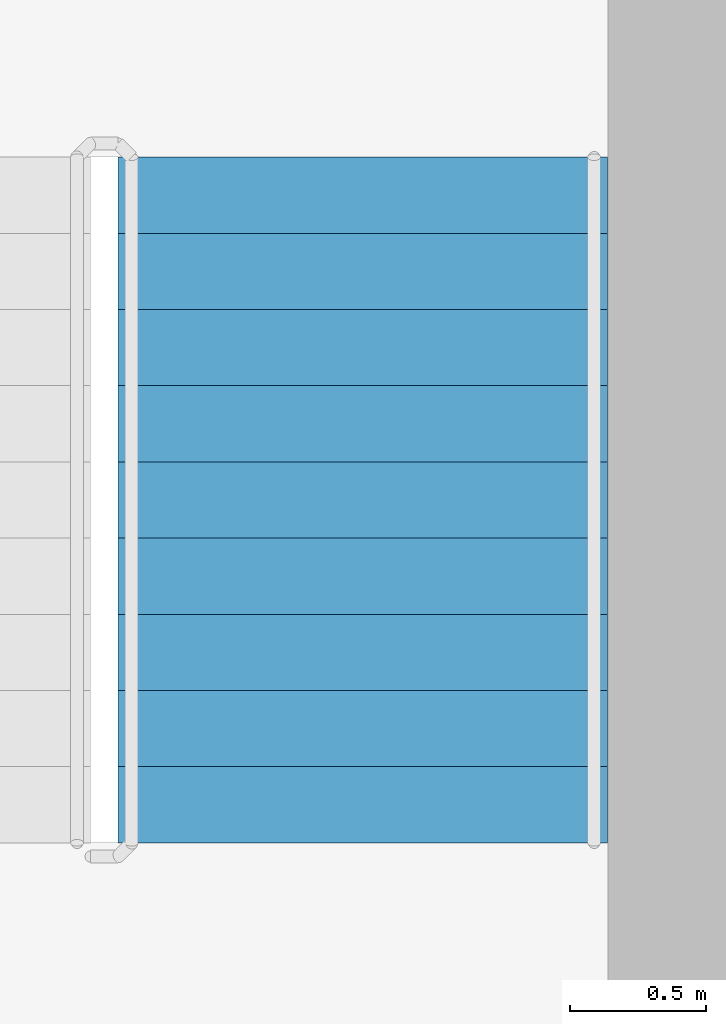
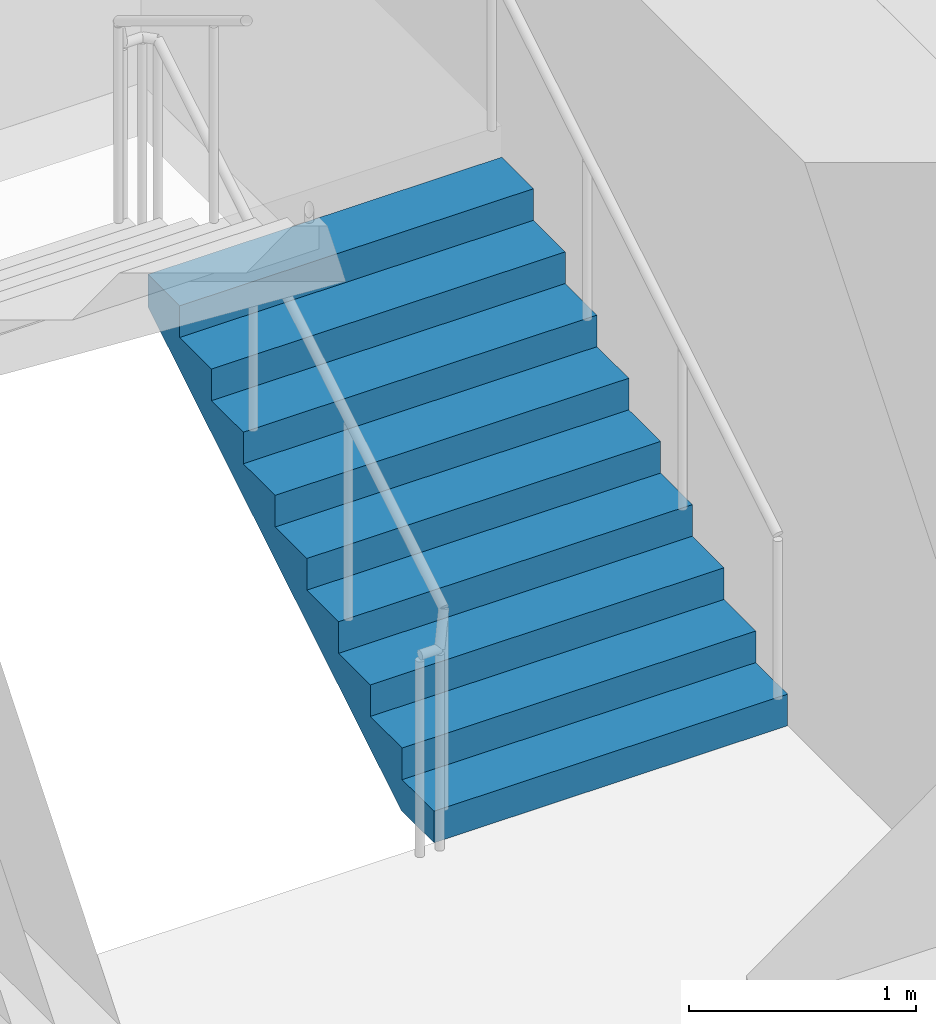
# One storey, part 12 of 21: 1 stair flight, 1 element without a shape of its own.
"""IFC4 building model written with IfcOpenShell, lengths in metres."""

from ifc_helpers import new_model, si_unit, direction, frame, origin, place, context, subcontext, project, spatial, triangles, source, transform, mapped, material, type_object, element, aggregate, save


model = new_model("IFC4")

# Units and contexts
model_context = context("Model", 3, precision=1e-05, world=origin(), true_north=direction((0.0, 1.0)))
body_context = subcontext(model_context, "Body", "Model", "MODEL_VIEW")
ifc_project = project(units=[si_unit("LENGTHUNIT", "METRE"), si_unit("AREAUNIT", "SQUARE_METRE"), si_unit("VOLUMEUNIT", "CUBIC_METRE"), si_unit("PLANEANGLEUNIT", "RADIAN"), si_unit("MASSUNIT", "GRAM", prefix="KILO")], contexts=[model_context])

# Site, building, storey
site_placement = place(None, origin())
site = spatial("IfcSite", under=ifc_project, at=site_placement, CompositionType="ELEMENT")
building_placement = place(site_placement, origin())
building = spatial("IfcBuilding", under=site, at=building_placement, Name="Kilnfold Tower and Market Hall", CompositionType="ELEMENT")
storey_placement = place(building_placement, frame((0.0, 0.0, 147.300048828125)))
storey = spatial("IfcBuildingStorey", under=building, at=storey_placement, Name="L33", CompositionType="ELEMENT", Elevation=147.300048828125)

# Stair, stair flight
ifc_material_1 = material(Name="Concrete C40/50", Category="concrete")
stair_type = type_object("IfcStairType", Name="CORE STAIR 1800", PredefinedType="HALF_TURN_STAIR", material=ifc_material_1)
stair_placement = place(storey_placement, origin())
stair = element("IfcStair", 1, at=stair_placement, inside=storey, type_object=stair_type, Name="L33 ST2", PredefinedType="HALF_TURN_STAIR")
ifc_material_2 = material(Name="Concrete C40/50", Category="concrete")
stair_flight_type = type_object("IfcStairFlightType", Name="CORE STAIR FLIGHT 1800", PredefinedType="STRAIGHT", material=ifc_material_2)
shared_shape = source(origin(), body_context, "Body", "Tessellation", [
    triangles([(0.0, 0.89990234375, 0.0), (0.0, 0.78759765625, 0.0), (0.0, 0.675048828125, 0.0), (0.0, 0.5625, 0.0), (0.0, 0.449951171875, 0.0), (0.0, 0.33740234375, 0.0), (0.0, 0.22509765625, 0.0), (0.0, 0.112548828125, 0.0), (0.0, 0.0, 0.0), (0.0, -0.112548828125, 0.0), (0.0, -0.22509765625, 0.0), (0.0, -0.33740234375, 0.0), (0.0, -0.449951171875, 0.0), (0.0, -0.5625, 0.0), (0.0, -0.675048828125, 0.0), (0.0, -0.78759765625, 0.0), (0.0, -0.89990234375, 0.0), (0.0, 0.89990234375, 0.169921875), (0.0, 0.78759765625, 0.169921875), (0.0, 0.675048828125, 0.169921875), (0.0, 0.5625, 0.169921875), (0.0, 0.449951171875, 0.169921875), (0.0, 0.33740234375, 0.169921875), (0.0, 0.22509765625, 0.169921875), (0.0, 0.112548828125, 0.169921875), (0.0, 0.0, 0.169921875), (0.0, -0.112548828125, 0.169921875), (0.0, -0.22509765625, 0.169921875), (0.0, -0.33740234375, 0.169921875), (0.0, -0.449951171875, 0.169921875), (0.0, -0.5625, 0.169921875), (0.0, -0.675048828125, 0.169921875), (0.0, -0.78759765625, 0.169921875), (0.0, -0.89990234375, 0.169921875), (0.280029296875, 0.89990234375, 0.169921875), (0.280029296875, 0.78759765625, 0.169921875), (0.280029296875, 0.675048828125, 0.169921875), (0.280029296875, 0.5625, 0.169921875), (0.280029296875, 0.449951171875, 0.169921875), (0.280029296875, 0.33740234375, 0.169921875), (0.280029296875, 0.22509765625, 0.169921875), (0.280029296875, 0.112548828125, 0.169921875), (0.280029296875, 0.0, 0.169921875), (0.280029296875, -0.112548828125, 0.169921875), (0.280029296875, -0.22509765625, 0.169921875), (0.280029296875, -0.33740234375, 0.169921875), (0.280029296875, -0.449951171875, 0.169921875), (0.280029296875, -0.5625, 0.169921875), (0.280029296875, -0.675048828125, 0.169921875), (0.280029296875, -0.78759765625, 0.169921875), (0.280029296875, -0.89990234375, 0.169921875), (0.280029296875, 0.89990234375, 0.340087890625), (0.280029296875, 0.78759765625, 0.340087890625), (0.280029296875, 0.675048828125, 0.340087890625), (0.280029296875, 0.5625, 0.340087890625), (0.280029296875, 0.449951171875, 0.340087890625), (0.280029296875, 0.33740234375, 0.340087890625), (0.280029296875, 0.22509765625, 0.340087890625), (0.280029296875, 0.112548828125, 0.340087890625), (0.280029296875, 0.0, 0.340087890625), (0.280029296875, -0.112548828125, 0.340087890625), (0.280029296875, -0.22509765625, 0.340087890625), (0.280029296875, -0.33740234375, 0.340087890625), (0.280029296875, -0.449951171875, 0.340087890625), (0.280029296875, -0.5625, 0.340087890625), (0.280029296875, -0.675048828125, 0.340087890625), (0.280029296875, -0.78759765625, 0.340087890625), (0.280029296875, -0.89990234375, 0.340087890625), (0.56005859375, 0.89990234375, 0.340087890625), (0.56005859375, 0.78759765625, 0.340087890625), (0.56005859375, 0.675048828125, 0.340087890625), (0.56005859375, 0.5625, 0.340087890625), (0.56005859375, 0.449951171875, 0.340087890625), (0.56005859375, 0.33740234375, 0.340087890625), (0.56005859375, 0.22509765625, 0.340087890625), (0.56005859375, 0.112548828125, 0.340087890625), (0.56005859375, 0.0, 0.340087890625), (0.56005859375, -0.112548828125, 0.340087890625), (0.56005859375, -0.22509765625, 0.340087890625), (0.56005859375, -0.33740234375, 0.340087890625), (0.56005859375, -0.449951171875, 0.340087890625), (0.56005859375, -0.5625, 0.340087890625), (0.56005859375, -0.675048828125, 0.340087890625), (0.56005859375, -0.78759765625, 0.340087890625), (0.56005859375, -0.89990234375, 0.340087890625), (0.56005859375, 0.89990234375, 0.510009765625), (0.56005859375, 0.78759765625, 0.510009765625), (0.56005859375, 0.675048828125, 0.510009765625), (0.56005859375, 0.5625, 0.510009765625), (0.56005859375, 0.449951171875, 0.510009765625), (0.56005859375, 0.33740234375, 0.510009765625), (0.56005859375, 0.22509765625, 0.510009765625), (0.56005859375, 0.112548828125, 0.510009765625), (0.56005859375, 0.0, 0.510009765625), (0.56005859375, -0.112548828125, 0.510009765625), (0.56005859375, -0.22509765625, 0.510009765625), (0.56005859375, -0.33740234375, 0.510009765625), (0.56005859375, -0.449951171875, 0.510009765625), (0.56005859375, -0.5625, 0.510009765625), (0.56005859375, -0.675048828125, 0.510009765625), (0.56005859375, -0.78759765625, 0.510009765625), (0.56005859375, -0.89990234375, 0.510009765625), (0.840087890625, 0.89990234375, 0.510009765625), (0.840087890625, 0.78759765625, 0.510009765625), (0.840087890625, 0.675048828125, 0.510009765625), (0.840087890625, 0.5625, 0.510009765625), (0.840087890625, 0.449951171875, 0.510009765625), (0.840087890625, 0.33740234375, 0.510009765625), (0.840087890625, 0.22509765625, 0.510009765625), (0.840087890625, 0.112548828125, 0.510009765625), (0.840087890625, 0.0, 0.510009765625), (0.840087890625, -0.112548828125, 0.510009765625), (0.840087890625, -0.22509765625, 0.510009765625), (0.840087890625, -0.33740234375, 0.510009765625), (0.840087890625, -0.449951171875, 0.510009765625), (0.840087890625, -0.5625, 0.510009765625), (0.840087890625, -0.675048828125, 0.510009765625), (0.840087890625, -0.78759765625, 0.510009765625), (0.840087890625, -0.89990234375, 0.510009765625), (0.840087890625, 0.89990234375, 0.679931640625), (0.840087890625, 0.78759765625, 0.679931640625), (0.840087890625, 0.675048828125, 0.679931640625), (0.840087890625, 0.5625, 0.679931640625), (0.840087890625, 0.449951171875, 0.679931640625), (0.840087890625, 0.33740234375, 0.679931640625), (0.840087890625, 0.22509765625, 0.679931640625), (0.840087890625, 0.112548828125, 0.679931640625), (0.840087890625, 0.0, 0.679931640625), (0.840087890625, -0.112548828125, 0.679931640625), (0.840087890625, -0.22509765625, 0.679931640625), (0.840087890625, -0.33740234375, 0.679931640625), (0.840087890625, -0.449951171875, 0.679931640625), (0.840087890625, -0.5625, 0.679931640625), (0.840087890625, -0.675048828125, 0.679931640625), (0.840087890625, -0.78759765625, 0.679931640625), (0.840087890625, -0.89990234375, 0.679931640625), (1.1201171875, 0.89990234375, 0.679931640625), (1.1201171875, 0.78759765625, 0.679931640625), (1.1201171875, 0.675048828125, 0.679931640625), (1.1201171875, 0.5625, 0.679931640625), (1.1201171875, 0.449951171875, 0.679931640625), (1.1201171875, 0.33740234375, 0.679931640625), (1.1201171875, 0.22509765625, 0.679931640625), (1.1201171875, 0.112548828125, 0.679931640625), (1.1201171875, 0.0, 0.679931640625), (1.1201171875, -0.112548828125, 0.679931640625), (1.1201171875, -0.22509765625, 0.679931640625), (1.1201171875, -0.33740234375, 0.679931640625), (1.1201171875, -0.449951171875, 0.679931640625), (1.1201171875, -0.5625, 0.679931640625), (1.1201171875, -0.675048828125, 0.679931640625), (1.1201171875, -0.78759765625, 0.679931640625), (1.1201171875, -0.89990234375, 0.679931640625), (1.1201171875, 0.89990234375, 0.85009765625), (1.1201171875, 0.78759765625, 0.85009765625), (1.1201171875, 0.675048828125, 0.85009765625), (1.1201171875, 0.5625, 0.85009765625), (1.1201171875, 0.449951171875, 0.85009765625), (1.1201171875, 0.33740234375, 0.85009765625), (1.1201171875, 0.22509765625, 0.85009765625), (1.1201171875, 0.112548828125, 0.85009765625), (1.1201171875, 0.0, 0.85009765625), (1.1201171875, -0.112548828125, 0.85009765625), (1.1201171875, -0.22509765625, 0.85009765625), (1.1201171875, -0.33740234375, 0.85009765625), (1.1201171875, -0.449951171875, 0.85009765625), (1.1201171875, -0.5625, 0.85009765625), (1.1201171875, -0.675048828125, 0.85009765625), (1.1201171875, -0.78759765625, 0.85009765625), (1.1201171875, -0.89990234375, 0.85009765625), (1.39990234375, 0.89990234375, 0.85009765625), (1.39990234375, 0.78759765625, 0.85009765625), (1.39990234375, 0.675048828125, 0.85009765625), (1.39990234375, 0.5625, 0.85009765625), (1.39990234375, 0.449951171875, 0.85009765625), (1.39990234375, 0.33740234375, 0.85009765625), (1.39990234375, 0.22509765625, 0.85009765625), (1.39990234375, 0.112548828125, 0.85009765625), (1.39990234375, 0.0, 0.85009765625), (1.39990234375, -0.112548828125, 0.85009765625), (1.39990234375, -0.22509765625, 0.85009765625), (1.39990234375, -0.33740234375, 0.85009765625), (1.39990234375, -0.449951171875, 0.85009765625), (1.39990234375, -0.5625, 0.85009765625), (1.39990234375, -0.675048828125, 0.85009765625), (1.39990234375, -0.78759765625, 0.85009765625), (1.39990234375, -0.89990234375, 0.85009765625), (1.39990234375, 0.89990234375, 1.02001953125), (1.39990234375, 0.78759765625, 1.02001953125), (1.39990234375, 0.675048828125, 1.02001953125), (1.39990234375, 0.5625, 1.02001953125), (1.39990234375, 0.449951171875, 1.02001953125), (1.39990234375, 0.33740234375, 1.02001953125), (1.39990234375, 0.22509765625, 1.02001953125), (1.39990234375, 0.112548828125, 1.02001953125), (1.39990234375, 0.0, 1.02001953125), (1.39990234375, -0.112548828125, 1.02001953125), (1.39990234375, -0.22509765625, 1.02001953125), (1.39990234375, -0.33740234375, 1.02001953125), (1.39990234375, -0.449951171875, 1.02001953125), (1.39990234375, -0.5625, 1.02001953125), (1.39990234375, -0.675048828125, 1.02001953125), (1.39990234375, -0.78759765625, 1.02001953125), (1.39990234375, -0.89990234375, 1.02001953125), (1.679931640625, 0.89990234375, 1.02001953125), (1.679931640625, 0.78759765625, 1.02001953125), (1.679931640625, 0.675048828125, 1.02001953125), (1.679931640625, 0.5625, 1.02001953125), (1.679931640625, 0.449951171875, 1.02001953125), (1.679931640625, 0.33740234375, 1.02001953125), (1.679931640625, 0.22509765625, 1.02001953125), (1.679931640625, 0.112548828125, 1.02001953125), (1.679931640625, 0.0, 1.02001953125), (1.679931640625, -0.112548828125, 1.02001953125), (1.679931640625, -0.22509765625, 1.02001953125), (1.679931640625, -0.33740234375, 1.02001953125), (1.679931640625, -0.449951171875, 1.02001953125), (1.679931640625, -0.5625, 1.02001953125), (1.679931640625, -0.675048828125, 1.02001953125), (1.679931640625, -0.78759765625, 1.02001953125), (1.679931640625, -0.89990234375, 1.02001953125), (1.679931640625, 0.89990234375, 1.18994140625), (1.679931640625, 0.78759765625, 1.18994140625), (1.679931640625, 0.675048828125, 1.18994140625), (1.679931640625, 0.5625, 1.18994140625), (1.679931640625, 0.449951171875, 1.18994140625), (1.679931640625, 0.33740234375, 1.18994140625), (1.679931640625, 0.22509765625, 1.18994140625), (1.679931640625, 0.112548828125, 1.18994140625), (1.679931640625, 0.0, 1.18994140625), (1.679931640625, -0.112548828125, 1.18994140625), (1.679931640625, -0.22509765625, 1.18994140625), (1.679931640625, -0.33740234375, 1.18994140625), (1.679931640625, -0.449951171875, 1.18994140625), (1.679931640625, -0.5625, 1.18994140625), (1.679931640625, -0.675048828125, 1.18994140625), (1.679931640625, -0.78759765625, 1.18994140625), (1.679931640625, -0.89990234375, 1.18994140625), (1.9599609375, 0.89990234375, 1.18994140625), (1.9599609375, 0.78759765625, 1.18994140625), (1.9599609375, 0.675048828125, 1.18994140625), (1.9599609375, 0.5625, 1.18994140625), (1.9599609375, 0.449951171875, 1.18994140625), (1.9599609375, 0.33740234375, 1.18994140625), (1.9599609375, 0.22509765625, 1.18994140625), (1.9599609375, 0.112548828125, 1.18994140625), (1.9599609375, 0.0, 1.18994140625), (1.9599609375, -0.112548828125, 1.18994140625), (1.9599609375, -0.22509765625, 1.18994140625), (1.9599609375, -0.33740234375, 1.18994140625), (1.9599609375, -0.449951171875, 1.18994140625), (1.9599609375, -0.5625, 1.18994140625), (1.9599609375, -0.675048828125, 1.18994140625), (1.9599609375, -0.78759765625, 1.18994140625), (1.9599609375, -0.89990234375, 1.18994140625), (1.9599609375, 0.89990234375, 1.360107421875), (1.9599609375, 0.78759765625, 1.360107421875), (1.9599609375, 0.675048828125, 1.360107421875), (1.9599609375, 0.5625, 1.360107421875), (1.9599609375, 0.449951171875, 1.360107421875), (1.9599609375, 0.33740234375, 1.360107421875), (1.9599609375, 0.22509765625, 1.360107421875), (1.9599609375, 0.112548828125, 1.360107421875), (1.9599609375, 0.0, 1.360107421875), (1.9599609375, -0.112548828125, 1.360107421875), (1.9599609375, -0.22509765625, 1.360107421875), (1.9599609375, -0.33740234375, 1.360107421875), (1.9599609375, -0.449951171875, 1.360107421875), (1.9599609375, -0.5625, 1.360107421875), (1.9599609375, -0.675048828125, 1.360107421875), (1.9599609375, -0.78759765625, 1.360107421875), (1.9599609375, -0.89990234375, 1.360107421875), (2.239990234375, 0.89990234375, 1.360107421875), (2.239990234375, 0.78759765625, 1.360107421875), (2.239990234375, 0.675048828125, 1.360107421875), (2.239990234375, 0.5625, 1.360107421875), (2.239990234375, 0.449951171875, 1.360107421875), (2.239990234375, 0.33740234375, 1.360107421875), (2.239990234375, 0.22509765625, 1.360107421875), (2.239990234375, 0.112548828125, 1.360107421875), (2.239990234375, 0.0, 1.360107421875), (2.239990234375, -0.112548828125, 1.360107421875), (2.239990234375, -0.22509765625, 1.360107421875), (2.239990234375, -0.33740234375, 1.360107421875), (2.239990234375, -0.449951171875, 1.360107421875), (2.239990234375, -0.5625, 1.360107421875), (2.239990234375, -0.675048828125, 1.360107421875), (2.239990234375, -0.78759765625, 1.360107421875), (2.239990234375, -0.89990234375, 1.360107421875), (2.239990234375, 0.89990234375, 1.530029296875), (2.239990234375, 0.78759765625, 1.530029296875), (2.239990234375, 0.675048828125, 1.530029296875), (2.239990234375, 0.5625, 1.530029296875), (2.239990234375, 0.449951171875, 1.530029296875), (2.239990234375, 0.33740234375, 1.530029296875), (2.239990234375, 0.22509765625, 1.530029296875), (2.239990234375, 0.112548828125, 1.530029296875), (2.239990234375, 0.0, 1.530029296875), (2.239990234375, -0.112548828125, 1.530029296875), (2.239990234375, -0.22509765625, 1.530029296875), (2.239990234375, -0.33740234375, 1.530029296875), (2.239990234375, -0.449951171875, 1.530029296875), (2.239990234375, -0.5625, 1.530029296875), (2.239990234375, -0.675048828125, 1.530029296875), (2.239990234375, -0.78759765625, 1.530029296875), (2.239990234375, -0.89990234375, 1.530029296875), (2.52001953125, 0.89990234375, 1.530029296875), (2.52001953125, 0.78759765625, 1.530029296875), (2.52001953125, 0.675048828125, 1.530029296875), (2.52001953125, 0.5625, 1.530029296875), (2.52001953125, 0.449951171875, 1.530029296875), (2.52001953125, 0.33740234375, 1.530029296875), (2.52001953125, 0.22509765625, 1.530029296875), (2.52001953125, 0.112548828125, 1.530029296875), (2.52001953125, 0.0, 1.530029296875), (2.52001953125, -0.112548828125, 1.530029296875), (2.52001953125, -0.22509765625, 1.530029296875), (2.52001953125, -0.33740234375, 1.530029296875), (2.52001953125, -0.449951171875, 1.530029296875), (2.52001953125, -0.5625, 1.530029296875), (2.52001953125, -0.675048828125, 1.530029296875), (2.52001953125, -0.78759765625, 1.530029296875), (2.52001953125, -0.89990234375, 1.530029296875), (2.52001953125, 0.89990234375, 1.354736328125), (2.52001953125, 0.78759765625, 1.354736328125), (2.52001953125, 0.675048828125, 1.354736328125), (2.52001953125, 0.5625, 1.354736328125), (2.52001953125, 0.449951171875, 1.354736328125), (2.52001953125, 0.33740234375, 1.354736328125), (2.52001953125, 0.22509765625, 1.354736328125), (2.52001953125, 0.112548828125, 1.354736328125), (2.52001953125, 0.0, 1.354736328125), (2.52001953125, -0.112548828125, 1.354736328125), (2.52001953125, -0.22509765625, 1.354736328125), (2.52001953125, -0.33740234375, 1.354736328125), (2.52001953125, -0.449951171875, 1.354736328125), (2.52001953125, -0.5625, 1.354736328125), (2.52001953125, -0.675048828125, 1.354736328125), (2.52001953125, -0.78759765625, 1.354736328125), (2.52001953125, -0.89990234375, 1.354736328125), (0.288818359375, 0.89990234375, 0.0), (0.288818359375, 0.78759765625, 0.0), (0.288818359375, 0.675048828125, 0.0), (0.288818359375, 0.5625, 0.0), (0.288818359375, 0.449951171875, 0.0), (0.288818359375, 0.33740234375, 0.0), (0.288818359375, 0.22509765625, 0.0), (0.288818359375, 0.112548828125, 0.0), (0.288818359375, 0.0, 0.0), (0.288818359375, -0.112548828125, 0.0), (0.288818359375, -0.22509765625, 0.0), (0.288818359375, -0.33740234375, 0.0), (0.288818359375, -0.449951171875, 0.0), (0.288818359375, -0.5625, 0.0), (0.288818359375, -0.675048828125, 0.0), (0.288818359375, -0.78759765625, 0.0), (0.288818359375, -0.89990234375, 0.0)], [[1, 324, 341], [17, 357, 340], [324, 290, 307], [340, 323, 306], [324, 273, 290], [340, 306, 289], [324, 256, 273], [340, 289, 272], [324, 239, 256], [340, 272, 255], [239, 205, 222], [255, 238, 221], [324, 205, 239], [340, 255, 221], [205, 171, 188], [221, 204, 187], [324, 171, 205], [340, 221, 187], [171, 137, 154], [187, 170, 153], [324, 137, 171], [340, 187, 153], [137, 103, 120], [153, 136, 119], [324, 103, 137], [340, 153, 119], [103, 69, 86], [119, 102, 85], [324, 69, 103], [340, 119, 85], [69, 35, 52], [85, 68, 51], [324, 35, 69], [340, 85, 51], [1, 35, 324], [17, 340, 51], [35, 1, 18], [51, 34, 17], [1, 19, 18], [1, 2, 19], [2, 20, 19], [2, 3, 20], [3, 21, 20], [3, 4, 21], [4, 22, 21], [4, 5, 22], [5, 23, 22], [5, 6, 23], [6, 24, 23], [6, 7, 24], [7, 25, 24], [7, 8, 25], [8, 26, 25], [8, 9, 26], [9, 27, 26], [9, 10, 27], [10, 28, 27], [10, 11, 28], [11, 29, 28], [11, 12, 29], [12, 30, 29], [12, 13, 30], [13, 31, 30], [13, 14, 31], [14, 32, 31], [14, 15, 32], [15, 33, 32], [15, 16, 33], [16, 34, 33], [16, 17, 34], [18, 36, 35], [18, 19, 36], [19, 37, 36], [19, 20, 37], [20, 38, 37], [20, 21, 38], [21, 39, 38], [21, 22, 39], [22, 40, 39], [22, 23, 40], [23, 41, 40], [23, 24, 41], [24, 42, 41], [24, 25, 42], [25, 43, 42], [25, 26, 43], [26, 44, 43], [26, 27, 44], [27, 45, 44], [27, 28, 45], [28, 46, 45], [28, 29, 46], [29, 47, 46], [29, 30, 47], [30, 48, 47], [30, 31, 48], [31, 49, 48], [31, 32, 49], [32, 50, 49], [32, 33, 50], [33, 51, 50], [33, 34, 51], [35, 53, 52], [35, 36, 53], [36, 54, 53], [36, 37, 54], [37, 55, 54], [37, 38, 55], [38, 56, 55], [38, 39, 56], [39, 57, 56], [39, 40, 57], [40, 58, 57], [40, 41, 58], [41, 59, 58], [41, 42, 59], [42, 60, 59], [42, 43, 60], [43, 61, 60], [43, 44, 61], [44, 62, 61], [44, 45, 62], [45, 63, 62], [45, 46, 63], [46, 64, 63], [46, 47, 64], [47, 65, 64], [47, 48, 65], [48, 66, 65], [48, 49, 66], [49, 67, 66], [49, 50, 67], [50, 68, 67], [50, 51, 68], [52, 70, 69], [52, 53, 70], [53, 71, 70], [53, 54, 71], [54, 72, 71], [54, 55, 72], [55, 73, 72], [55, 56, 73], [56, 74, 73], [56, 57, 74], [57, 75, 74], [57, 58, 75], [58, 76, 75], [58, 59, 76], [59, 77, 76], [59, 60, 77], [60, 78, 77], [60, 61, 78], [61, 79, 78], [61, 62, 79], [62, 80, 79], [62, 63, 80], [63, 81, 80], [63, 64, 81], [64, 82, 81], [64, 65, 82], [65, 83, 82], [65, 66, 83], [66, 84, 83], [66, 67, 84], [67, 85, 84], [67, 68, 85], [69, 87, 86], [69, 70, 87], [70, 88, 87], [70, 71, 88], [71, 89, 88], [71, 72, 89], [72, 90, 89], [72, 73, 90], [73, 91, 90], [73, 74, 91], [74, 92, 91], [74, 75, 92], [75, 93, 92], [75, 76, 93], [76, 94, 93], [76, 77, 94], [77, 95, 94], [77, 78, 95], [78, 96, 95], [78, 79, 96], [79, 97, 96], [79, 80, 97], [80, 98, 97], [80, 81, 98], [81, 99, 98], [81, 82, 99], [82, 100, 99], [82, 83, 100], [83, 101, 100], [83, 84, 101], [84, 102, 101], [84, 85, 102], [86, 104, 103], [86, 87, 104], [87, 105, 104], [87, 88, 105], [88, 106, 105], [88, 89, 106], [89, 107, 106], [89, 90, 107], [90, 108, 107], [90, 91, 108], [91, 109, 108], [91, 92, 109], [92, 110, 109], [92, 93, 110], [93, 111, 110], [93, 94, 111], [94, 112, 111], [94, 95, 112], [95, 113, 112], [95, 96, 113], [96, 114, 113], [96, 97, 114], [97, 115, 114], [97, 98, 115], [98, 116, 115], [98, 99, 116], [99, 117, 116], [99, 100, 117], [100, 118, 117], [100, 101, 118], [101, 119, 118], [101, 102, 119], [103, 121, 120], [103, 104, 121], [104, 122, 121], [104, 105, 122], [105, 123, 122], [105, 106, 123], [106, 124, 123], [106, 107, 124], [107, 125, 124], [107, 108, 125], [108, 126, 125], [108, 109, 126], [109, 127, 126], [109, 110, 127], [110, 128, 127], [110, 111, 128], [111, 129, 128], [111, 112, 129], [112, 130, 129], [112, 113, 130], [113, 131, 130], [113, 114, 131], [114, 132, 131], [114, 115, 132], [115, 133, 132], [115, 116, 133], [116, 134, 133], [116, 117, 134], [117, 135, 134], [117, 118, 135], [118, 136, 135], [118, 119, 136], [120, 138, 137], [120, 121, 138], [121, 139, 138], [121, 122, 139], [122, 140, 139], [122, 123, 140], [123, 141, 140], [123, 124, 141], [124, 142, 141], [124, 125, 142], [125, 143, 142], [125, 126, 143], [126, 144, 143], [126, 127, 144], [127, 145, 144], [127, 128, 145], [128, 146, 145], [128, 129, 146], [129, 147, 146], [129, 130, 147], [130, 148, 147], [130, 131, 148], [131, 149, 148], [131, 132, 149], [132, 150, 149], [132, 133, 150], [133, 151, 150], [133, 134, 151], [134, 152, 151], [134, 135, 152], [135, 153, 152], [135, 136, 153], [137, 155, 154], [137, 138, 155], [138, 156, 155], [138, 139, 156], [139, 157, 156], [139, 140, 157], [140, 158, 157], [140, 141, 158], [141, 159, 158], [141, 142, 159], [142, 160, 159], [142, 143, 160], [143, 161, 160], [143, 144, 161], [144, 162, 161], [144, 145, 162], [145, 163, 162], [145, 146, 163], [146, 164, 163], [146, 147, 164], [147, 165, 164], [147, 148, 165], [148, 166, 165], [148, 149, 166], [149, 167, 166], [149, 150, 167], [150, 168, 167], [150, 151, 168], [151, 169, 168], [151, 152, 169], [152, 170, 169], [152, 153, 170], [154, 172, 171], [154, 155, 172], [155, 173, 172], [155, 156, 173], [156, 174, 173], [156, 157, 174], [157, 175, 174], [157, 158, 175], [158, 176, 175], [158, 159, 176], [159, 177, 176], [159, 160, 177], [160, 178, 177], [160, 161, 178], [161, 179, 178], [161, 162, 179], [162, 180, 179], [162, 163, 180], [163, 181, 180], [163, 164, 181], [164, 182, 181], [164, 165, 182], [165, 183, 182], [165, 166, 183], [166, 184, 183], [166, 167, 184], [167, 185, 184], [167, 168, 185], [168, 186, 185], [168, 169, 186], [169, 187, 186], [169, 170, 187], [171, 189, 188], [171, 172, 189], [172, 190, 189], [172, 173, 190], [173, 191, 190], [173, 174, 191], [174, 192, 191], [174, 175, 192], [175, 193, 192], [175, 176, 193], [176, 194, 193], [176, 177, 194], [177, 195, 194], [177, 178, 195], [178, 196, 195], [178, 179, 196], [179, 197, 196], [179, 180, 197], [180, 198, 197], [180, 181, 198], [181, 199, 198], [181, 182, 199], [182, 200, 199], [182, 183, 200], [183, 201, 200], [183, 184, 201], [184, 202, 201], [184, 185, 202], [185, 203, 202], [185, 186, 203], [186, 204, 203], [186, 187, 204], [188, 206, 205], [188, 189, 206], [189, 207, 206], [189, 190, 207], [190, 208, 207], [190, 191, 208], [191, 209, 208], [191, 192, 209], [192, 210, 209], [192, 193, 210], [193, 211, 210], [193, 194, 211], [194, 212, 211], [194, 195, 212], [195, 213, 212], [195, 196, 213], [196, 214, 213], [196, 197, 214], [197, 215, 214], [197, 198, 215], [198, 216, 215], [198, 199, 216], [199, 217, 216], [199, 200, 217], [200, 218, 217], [200, 201, 218], [201, 219, 218], [201, 202, 219], [202, 220, 219], [202, 203, 220], [203, 221, 220], [203, 204, 221], [205, 223, 222], [205, 206, 223], [206, 224, 223], [206, 207, 224], [207, 225, 224], [207, 208, 225], [208, 226, 225], [208, 209, 226], [209, 227, 226], [209, 210, 227], [210, 228, 227], [210, 211, 228], [211, 229, 228], [211, 212, 229], [212, 230, 229], [212, 213, 230], [213, 231, 230], [213, 214, 231], [214, 232, 231], [214, 215, 232], [215, 233, 232], [215, 216, 233], [216, 234, 233], [216, 217, 234], [217, 235, 234], [217, 218, 235], [218, 236, 235], [218, 219, 236], [219, 237, 236], [219, 220, 237], [220, 238, 237], [220, 221, 238], [222, 240, 239], [222, 223, 240], [223, 241, 240], [223, 224, 241], [224, 242, 241], [224, 225, 242], [225, 243, 242], [225, 226, 243], [226, 244, 243], [226, 227, 244], [227, 245, 244], [227, 228, 245], [228, 246, 245], [228, 229, 246], [229, 247, 246], [229, 230, 247], [230, 248, 247], [230, 231, 248], [231, 249, 248], [231, 232, 249], [232, 250, 249], [232, 233, 250], [233, 251, 250], [233, 234, 251], [234, 252, 251], [234, 235, 252], [235, 253, 252], [235, 236, 253], [236, 254, 253], [236, 237, 254], [237, 255, 254], [237, 238, 255], [239, 257, 256], [239, 240, 257], [240, 258, 257], [240, 241, 258], [241, 259, 258], [241, 242, 259], [242, 260, 259], [242, 243, 260], [243, 261, 260], [243, 244, 261], [244, 262, 261], [244, 245, 262], [245, 263, 262], [245, 246, 263], [246, 264, 263], [246, 247, 264], [247, 265, 264], [247, 248, 265], [248, 266, 265], [248, 249, 266], [249, 267, 266], [249, 250, 267], [250, 268, 267], [250, 251, 268], [251, 269, 268], [251, 252, 269], [252, 270, 269], [252, 253, 270], [253, 271, 270], [253, 254, 271], [254, 272, 271], [254, 255, 272], [256, 274, 273], [256, 257, 274], [257, 275, 274], [257, 258, 275], [258, 276, 275], [258, 259, 276], [259, 277, 276], [259, 260, 277], [260, 278, 277], [260, 261, 278], [261, 279, 278], [261, 262, 279], [262, 280, 279], [262, 263, 280], [263, 281, 280], [263, 264, 281], [264, 282, 281], [264, 265, 282], [265, 283, 282], [265, 266, 283], [266, 284, 283], [266, 267, 284], [267, 285, 284], [267, 268, 285], [268, 286, 285], [268, 269, 286], [269, 287, 286], [269, 270, 287], [270, 288, 287], [270, 271, 288], [271, 289, 288], [271, 272, 289], [273, 291, 290], [273, 274, 291], [274, 292, 291], [274, 275, 292], [275, 293, 292], [275, 276, 293], [276, 294, 293], [276, 277, 294], [277, 295, 294], [277, 278, 295], [278, 296, 295], [278, 279, 296], [279, 297, 296], [279, 280, 297], [280, 298, 297], [280, 281, 298], [281, 299, 298], [281, 282, 299], [282, 300, 299], [282, 283, 300], [283, 301, 300], [283, 284, 301], [284, 302, 301], [284, 285, 302], [285, 303, 302], [285, 286, 303], [286, 304, 303], [286, 287, 304], [287, 305, 304], [287, 288, 305], [288, 306, 305], [288, 289, 306], [290, 308, 307], [290, 291, 308], [291, 309, 308], [291, 292, 309], [292, 310, 309], [292, 293, 310], [293, 311, 310], [293, 294, 311], [294, 312, 311], [294, 295, 312], [295, 313, 312], [295, 296, 313], [296, 314, 313], [296, 297, 314], [297, 315, 314], [297, 298, 315], [298, 316, 315], [298, 299, 316], [299, 317, 316], [299, 300, 317], [300, 318, 317], [300, 301, 318], [301, 319, 318], [301, 302, 319], [302, 320, 319], [302, 303, 320], [303, 321, 320], [303, 304, 321], [304, 322, 321], [304, 305, 322], [305, 323, 322], [305, 306, 323], [307, 325, 324], [307, 308, 325], [308, 326, 325], [308, 309, 326], [309, 327, 326], [309, 310, 327], [310, 328, 327], [310, 311, 328], [311, 329, 328], [311, 312, 329], [312, 330, 329], [312, 313, 330], [313, 331, 330], [313, 314, 331], [314, 332, 331], [314, 315, 332], [315, 333, 332], [315, 316, 333], [316, 334, 333], [316, 317, 334], [317, 335, 334], [317, 318, 335], [318, 336, 335], [318, 319, 336], [319, 337, 336], [319, 320, 337], [320, 338, 337], [320, 321, 338], [321, 339, 338], [321, 322, 339], [322, 340, 339], [322, 323, 340], [324, 342, 341], [324, 325, 342], [325, 343, 342], [325, 326, 343], [326, 344, 343], [326, 327, 344], [327, 345, 344], [327, 328, 345], [328, 346, 345], [328, 329, 346], [329, 347, 346], [329, 330, 347], [330, 348, 347], [330, 331, 348], [331, 349, 348], [331, 332, 349], [332, 350, 349], [332, 333, 350], [333, 351, 350], [333, 334, 351], [334, 352, 351], [334, 335, 352], [335, 353, 352], [335, 336, 353], [336, 354, 353], [336, 337, 354], [337, 355, 354], [337, 338, 355], [338, 356, 355], [338, 339, 356], [339, 357, 356], [339, 340, 357], [341, 2, 1], [341, 342, 2], [342, 3, 2], [342, 343, 3], [343, 4, 3], [343, 344, 4], [344, 5, 4], [344, 345, 5], [345, 6, 5], [345, 346, 6], [346, 7, 6], [346, 347, 7], [347, 8, 7], [347, 348, 8], [348, 9, 8], [348, 349, 9], [349, 10, 9], [349, 350, 10], [350, 11, 10], [350, 351, 11], [351, 12, 11], [351, 352, 12], [352, 13, 12], [352, 353, 13], [353, 14, 13], [353, 354, 14], [354, 15, 14], [354, 355, 15], [355, 16, 15], [355, 356, 16], [356, 17, 16], [356, 357, 17]], closed=True),
])
stair_flight_placement = place(storey_placement, frame((16.199951171875, 10.800048828125, 0.0), z_axis=(0.0, 0.0, 1.0), x_axis=(0.0, 1.0, 0.0)))
stair_flight = element("IfcStairFlight", 2, at=stair_flight_placement, type_object=stair_flight_type, Name="ST2 flight 1", NumberOfRisers=10, NumberOfTreads=9, PredefinedType="STRAIGHT", RiserHeight=0.17, TreadLength=0.28, context=body_context, shape_type="MappedRepresentation", body=[
    mapped(shared_shape, transform((0.0, 0.0, 0.0))),
])
aggregate(stair, [stair_flight])

save(model, "model.ifc")
